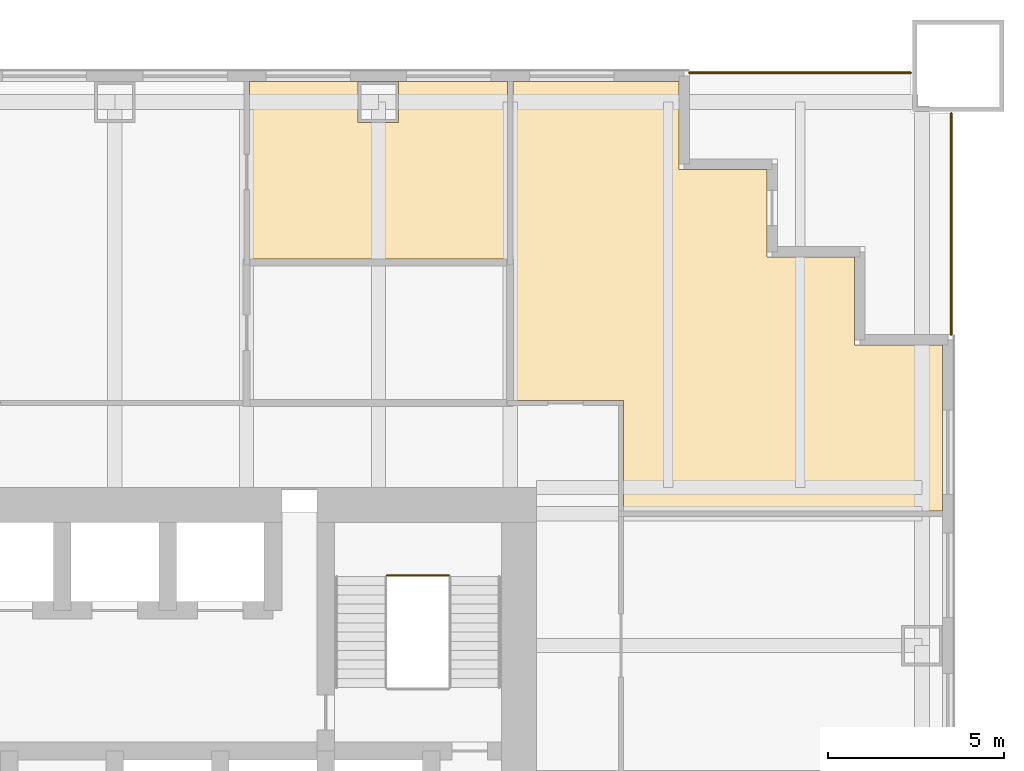
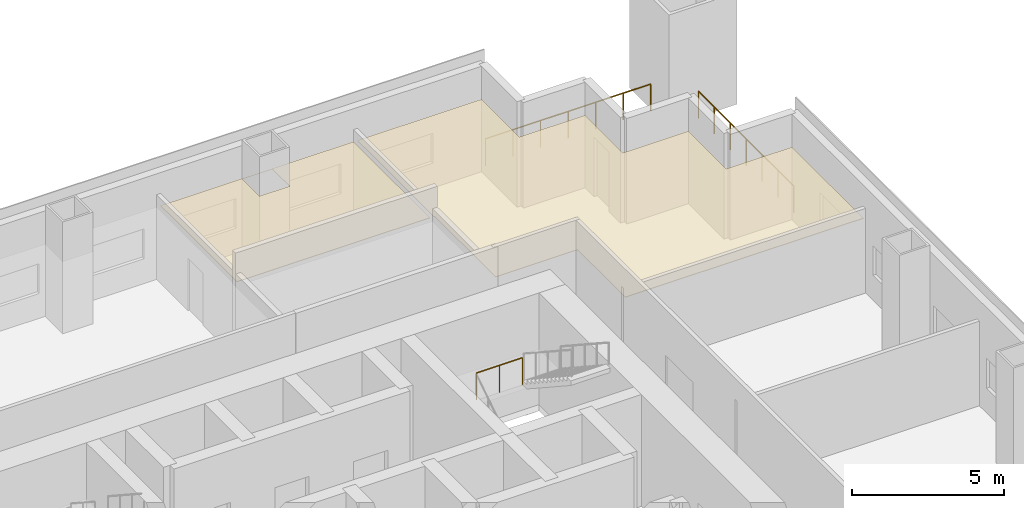
# One storey, part 7 of 7: 3 railings, 2 coverings.
"""IFC4 building model written with IfcOpenShell, lengths in metres."""

from ifc_helpers import new_model, si_unit, direction, frame, origin, origin_2d, place, context, subcontext, project, spatial, polyline, circle, outline, extrude, material, layer, layer_set, type_object, element, save


model = new_model("IFC4")

# Units and contexts
model_context = context("Model", 3, precision=1e-05, world=origin(), true_north=direction((0.0, 1.0)))
body_context = subcontext(model_context, "Body", "Model", "MODEL_VIEW")
ifc_project = project(units=[si_unit("LENGTHUNIT", "METRE"), si_unit("AREAUNIT", "SQUARE_METRE"), si_unit("VOLUMEUNIT", "CUBIC_METRE"), si_unit("PLANEANGLEUNIT", "RADIAN"), si_unit("MASSUNIT", "GRAM", prefix="KILO")], contexts=[model_context])

# Site, building, storey
site_placement = place(None, origin())
site = spatial("IfcSite", under=ifc_project, at=site_placement, CompositionType="ELEMENT")
building_placement = place(site_placement, origin())
building = spatial("IfcBuilding", under=site, at=building_placement, Name="Tarangal Relay Tower", CompositionType="ELEMENT")
storey_placement = place(building_placement, frame((0.0, 0.0, 167.39990234375)))
storey = spatial("IfcBuildingStorey", under=building, at=storey_placement, Name="L34", CompositionType="ELEMENT", Elevation=167.39990234375)

# Railing
ifc_material_1 = material(Name="Steel guard, black finish", Category="steel")
railing_type_1 = type_object("IfcRailingType", Name="Stair guard 1100", PredefinedType="GUARDRAIL", material=ifc_material_1)
railing_1_placement = place(storey_placement, frame((7.75, 9.498046875, 2.25)))
element("IfcRailing", 1, at=railing_1_placement, inside=storey, type_object=railing_type_1, Name="Stair ST-B landing guard GR1 L34", PredefinedType="GUARDRAIL", context=body_context, shape_type="SweptSolid", body=[
    extrude(circle(Radius=0.02392578125, at=origin_2d()), frame((0.0, 0.0, 1.076171875), z_axis=(1.0, 0.0, 0.0), x_axis=(0.0, 1.0, 0.0)), (0.0, 0.0, 1.0), 1.75),
    extrude(circle(Radius=0.02099609375, at=origin_2d()), origin(), (0.0, 0.0, 1.0), 1.052001953125),
    extrude(circle(Radius=0.02099609375, at=origin_2d()), frame((0.875, 0.0, 0.0)), (0.0, 0.0, 1.0), 1.052001953125),
    extrude(circle(Radius=0.02099609375, at=origin_2d()), frame((1.75, 0.0, 0.0)), (0.0, 0.0, 1.0), 1.052001953125),
])

# Coverings
ifc_material_2 = material(Name="Mineral fibre ceiling tiles", Category="gypsum")
ifc_layer = layer(ifc_material_2, 0.02001953125)
ifc_layer_set = layer_set([ifc_layer], Name="Suspended ceiling")
covering_type = type_object("IfcCoveringType", Name="Suspended ceiling", PredefinedType="CEILING", material=ifc_layer_set)
covering_1_placement = place(storey_placement, frame((0.0, 0.0, 2.900146484375)))
element("IfcCovering", 2, at=covering_1_placement, inside=storey, type_object=covering_type, Name="Suspended ceiling CL1 L34-04", PredefinedType="CEILING", context=body_context, shape_type="SweptSolid", body=[
    extrude(outline(polyline([(11.175048828125, 23.550048828125), (3.824951171875, 23.550048828125), (3.824951171875, 18.5), (11.175048828125, 18.5), (11.175048828125, 23.550048828125)]), holes=[polyline([(8.074951171875, 23.5400390625), (6.925048828125, 23.5400390625), (6.925048828125, 22.389892578125), (8.074951171875, 22.389892578125), (8.074951171875, 23.5400390625)])]), origin(), (0.0, 0.0, 1.0), 0.02001953125),
])
covering_2_placement = place(storey_placement, frame((0.0, 0.0, 2.900146484375)))
element("IfcCovering", 3, at=covering_2_placement, inside=storey, type_object=covering_type, Name="Suspended ceiling CL1 L34-12", PredefinedType="CEILING", context=body_context, shape_type="SweptSolid", body=[
    extrude(outline(polyline([(11.324951171875, 23.550048828125), (11.324951171875, 18.5), (11.35009765625, 18.5), (11.35009765625, 14.47509765625), (14.47509765625, 14.47509765625), (14.47509765625, 11.324951171875), (23.550048828125, 11.324951171875), (23.550048828125, 16.050048828125), (21.050048828125, 16.050048828125), (21.050048828125, 18.550048828125), (18.550048828125, 18.550048828125), (18.550048828125, 21.050048828125), (16.050048828125, 21.050048828125), (16.050048828125, 23.550048828125), (11.324951171875, 23.550048828125)])), origin(), (0.0, 0.0, 1.0), 0.02001953125),
])

# Railings
ifc_material_3 = material(Name="Black steel guard with glass infill", Category="steel")
railing_type_2 = type_object("IfcRailingType", Name="Terrace guard 1100", PredefinedType="GUARDRAIL", material=ifc_material_3)
railing_2_placement = place(storey_placement, frame((16.35009765625, 23.800048828125, 0.0)))
element("IfcRailing", 4, at=railing_2_placement, inside=storey, type_object=railing_type_2, Name="Terrace guard GR2 NE L34", PredefinedType="GUARDRAIL", context=body_context, shape_type="SweptSolid", body=[
    extrude(circle(Radius=0.02392578125, at=origin_2d()), frame((0.0, 0.0, 1.076171875), z_axis=(1.0, 0.0, 0.0), x_axis=(0.0, 1.0, 0.0)), (0.0, 0.0, 1.0), 6.2998046875),
    extrude(circle(Radius=0.02099609375, at=origin_2d()), origin(), (0.0, 0.0, 1.0), 1.052001953125),
    extrude(circle(Radius=0.02099609375, at=origin_2d()), frame((1.050048828125, 0.0, 0.0)), (0.0, 0.0, 1.0), 1.052001953125),
    extrude(circle(Radius=0.02099609375, at=origin_2d()), frame((2.099853515625, 0.0, 0.0)), (0.0, 0.0, 1.0), 1.052001953125),
    extrude(circle(Radius=0.02099609375, at=origin_2d()), frame((3.14990234375, 0.0, 0.0)), (0.0, 0.0, 1.0), 1.052001953125),
    extrude(circle(Radius=0.02099609375, at=origin_2d()), frame((4.199951171875, 0.0, 0.0)), (0.0, 0.0, 1.0), 1.052001953125),
    extrude(circle(Radius=0.02099609375, at=origin_2d()), frame((5.249755859375, 0.0, 0.0)), (0.0, 0.0, 1.0), 1.052001953125),
    extrude(circle(Radius=0.02099609375, at=origin_2d()), frame((6.2998046875, 0.0, 0.0)), (0.0, 0.0, 1.0), 1.052001953125),
])
railing_3_placement = place(storey_placement, frame((23.800048828125, 22.64990234375, 0.0)))
element("IfcRailing", 5, at=railing_3_placement, inside=storey, type_object=railing_type_2, Name="Terrace guard GR2 NE L34", PredefinedType="GUARDRAIL", context=body_context, shape_type="SweptSolid", body=[
    extrude(circle(Radius=0.02392578125, at=origin_2d()), frame((0.0, 0.0, 1.076171875), z_axis=(0.0, -1.0, 0.0), x_axis=(1.0, 0.0, 0.0)), (0.0, 0.0, 1.0), 6.2998046875),
    extrude(circle(Radius=0.02099609375, at=origin_2d()), origin(), (0.0, 0.0, 1.0), 1.052001953125),
    extrude(circle(Radius=0.02099609375, at=origin_2d()), frame((0.0, -1.050048828125, 0.0)), (0.0, 0.0, 1.0), 1.052001953125),
    extrude(circle(Radius=0.02099609375, at=origin_2d()), frame((0.0, -2.099853515625, 0.0)), (0.0, 0.0, 1.0), 1.052001953125),
    extrude(circle(Radius=0.02099609375, at=origin_2d()), frame((0.0, -3.14990234375, 0.0)), (0.0, 0.0, 1.0), 1.052001953125),
    extrude(circle(Radius=0.02099609375, at=origin_2d()), frame((0.0, -4.199951171875, 0.0)), (0.0, 0.0, 1.0), 1.052001953125),
    extrude(circle(Radius=0.02099609375, at=origin_2d()), frame((0.0, -5.249755859375, 0.0)), (0.0, 0.0, 1.0), 1.052001953125),
    extrude(circle(Radius=0.02099609375, at=origin_2d()), frame((0.0, -6.2998046875, 0.0)), (0.0, 0.0, 1.0), 1.052001953125),
])

save(model, "model.ifc")
